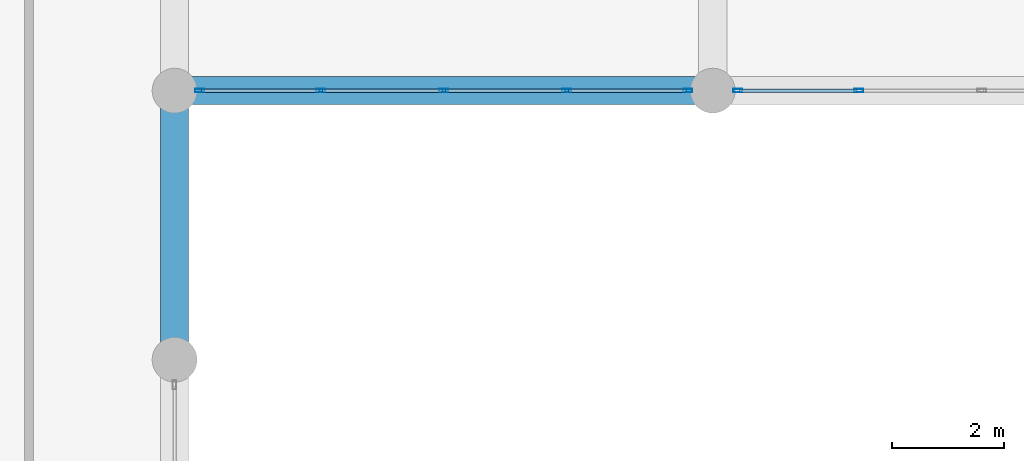
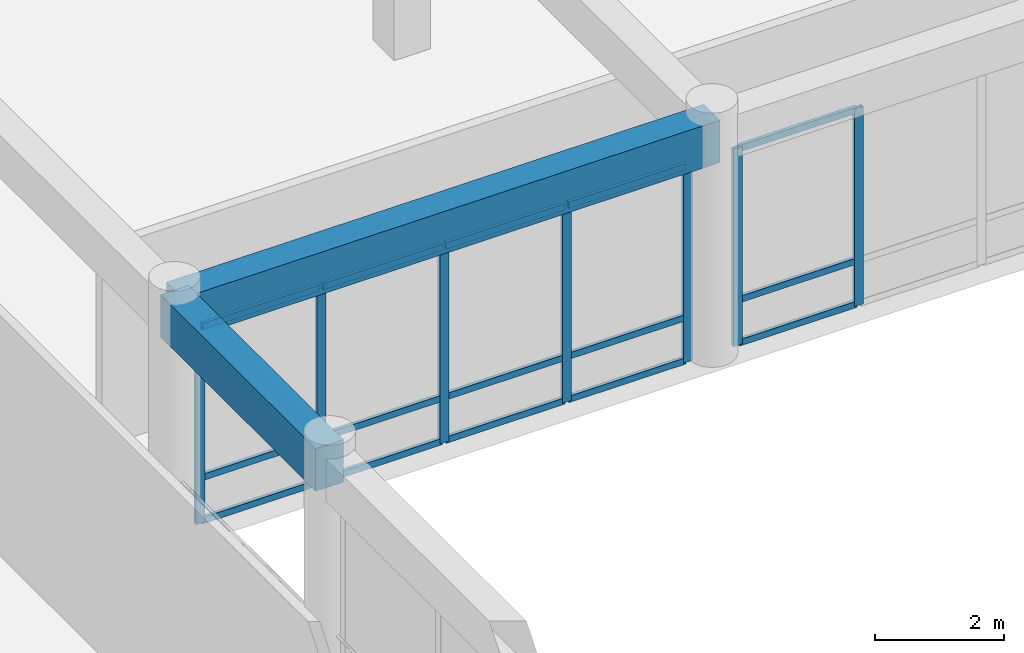
# One storey, part 19 of 101: 22 members, 2 beams, 2 elements without a shape of their own.
"""IFC4 building model written with IfcOpenShell, lengths in metres."""

from ifc_helpers import new_model, si_unit, direction, frame, origin, origin_2d, place, context, subcontext, project, spatial, rectangle, hollow_rectangle, extrude, material, layer, layer_set, material_profile, profile_set, type_object, element, aggregate, save


model = new_model("IFC4")

# Units and contexts
model_context = context("Model", 3, precision=1e-05, world=origin(), true_north=direction((0.0, 1.0)))
body_context = subcontext(model_context, "Body", "Model", "MODEL_VIEW")
ifc_project = project(units=[si_unit("LENGTHUNIT", "METRE"), si_unit("AREAUNIT", "SQUARE_METRE"), si_unit("VOLUMEUNIT", "CUBIC_METRE"), si_unit("PLANEANGLEUNIT", "RADIAN"), si_unit("MASSUNIT", "GRAM", prefix="KILO")], contexts=[model_context])

# Site, building, storey
site_placement = place(None, origin())
site = spatial("IfcSite", under=ifc_project, at=site_placement, CompositionType="ELEMENT")
building_placement = place(site_placement, origin())
building = spatial("IfcBuilding", under=site, at=building_placement, Name="Nakhvara Creek Congress Hotel", CompositionType="ELEMENT")
storey_placement = place(building_placement, frame((0.0, 0.0, 16.199951171875)))
storey = spatial("IfcBuildingStorey", under=building, at=storey_placement, Name="L03", CompositionType="ELEMENT", Elevation=16.199951171875)

# Beams
ifc_material_1 = material(Name="Concrete C40/50", Category="concrete")
ifc_material_profile_1 = material_profile(ifc_material_1, rectangle(XDim=0.5, YDim=0.800048828125, at=origin_2d()), Name="RC-BM 500x800", Category="LoadBearing")
ifc_profile_set_1 = profile_set([ifc_material_profile_1], Name="Concrete C40/50")
beam_type = type_object("IfcBeamType", Name="BM-RC-500X800", PredefinedType="BEAM", material=ifc_profile_set_1)
beam_1_placement = place(storey_placement, frame((76.800048828125, 72.0, 4.14013671875), z_axis=(0.0, 1.0, 0.0), x_axis=(-1.0, 0.0, 0.0)))
element("IfcBeam", 1, at=beam_1_placement, inside=storey, type_object=beam_type, Name="Beam B03-L03-1711", PredefinedType="BEAM", context=body_context, shape_type="SweptSolid", body=[
    extrude(rectangle(XDim=0.5, YDim=0.800048828125, at=origin_2d()), origin(), (0.0, 0.0, 1.0), 4.800048828125),
])
beam_2_placement = place(storey_placement, frame((76.800048828125, 76.800048828125, 4.14013671875), z_axis=(1.0, 0.0, 0.0), x_axis=(0.0, 1.0, 0.0)))
element("IfcBeam", 2, at=beam_2_placement, inside=storey, type_object=beam_type, Name="Beam B03-L03-1713", PredefinedType="BEAM", context=body_context, shape_type="SweptSolid", body=[
    extrude(rectangle(XDim=0.5, YDim=0.800048828125, at=origin_2d()), origin(), (0.0, 0.0, 1.0), 9.599853515625),
])

# Curtain wall, members
ifc_material_2 = material(Name="Bronze-anodised aluminium AW-6063-T6 and double-silver low-E glass", Category="aluminium")
ifc_layer = layer(ifc_material_2, 0.199951171875)
ifc_layer_set = layer_set([ifc_layer], Name="Bronze-anodised aluminium AW-6063-T6 and double-silver low-E glass")
curtain_wall_type = type_object("IfcCurtainWallType", Name="CW-POD-STICK", PredefinedType="NOTDEFINED", material=ifc_layer_set)
curtain_wall_1_placement = place(storey_placement, origin())
curtain_wall_1 = element("IfcCurtainWall", 3, at=curtain_wall_1_placement, inside=storey, type_object=curtain_wall_type, Name="Curtain Wall CW050", PredefinedType="NOTDEFINED")
ifc_material_3 = material(Name="Bronze-anodised aluminium AW-6063-T6", Category="aluminium")
ifc_material_profile_2 = material_profile(ifc_material_3, hollow_rectangle(XDim=0.06494140625, YDim=0.159912109375, WallThickness=0.00390625, at=origin_2d()), Name="ALU-MULL 65x160x4", Category="LoadBearing")
ifc_profile_set_2 = profile_set([ifc_material_profile_2], Name="Bronze-anodised aluminium AW-6063-T6")
member_type_1 = type_object("IfcMemberType", Name="CW-MULL-160", PredefinedType="MULLION", material=ifc_profile_set_2)
member_1_placement = place(storey_placement, frame((85.952392578125, 76.800048828125, 0.0), z_axis=(0.0, 0.0, 1.0), x_axis=(0.0, -1.0, 0.0)))
member_1 = element("IfcMember", 4, at=member_1_placement, type_object=member_type_1, Name="CW050 mullion 1", PredefinedType="MULLION", context=body_context, shape_type="SweptSolid", body=[
    extrude(hollow_rectangle(XDim=0.06494140625, YDim=0.159912109375, WallThickness=0.00390625, at=origin_2d()), origin(), (0.0, 0.0, 1.0), 3.73193359375),
])
member_2_placement = place(storey_placement, frame((83.79248046875, 76.800048828125, 0.0), z_axis=(0.0, 0.0, 1.0), x_axis=(0.0, -1.0, 0.0)))
member_2 = element("IfcMember", 5, at=member_2_placement, type_object=member_type_1, Name="CW050 mullion 2", PredefinedType="MULLION", context=body_context, shape_type="SweptSolid", body=[
    extrude(hollow_rectangle(XDim=0.06494140625, YDim=0.159912109375, WallThickness=0.00390625, at=origin_2d()), origin(), (0.0, 0.0, 1.0), 3.73193359375),
])
member_3_placement = place(storey_placement, frame((81.60009765625, 76.800048828125, 0.0), z_axis=(0.0, 0.0, 1.0), x_axis=(0.0, -1.0, 0.0)))
member_3 = element("IfcMember", 6, at=member_3_placement, type_object=member_type_1, Name="CW050 mullion 3", PredefinedType="MULLION", context=body_context, shape_type="SweptSolid", body=[
    extrude(hollow_rectangle(XDim=0.06494140625, YDim=0.159912109375, WallThickness=0.00390625, at=origin_2d()), origin(), (0.0, 0.0, 1.0), 3.73193359375),
])
member_4_placement = place(storey_placement, frame((79.407470703125, 76.800048828125, 0.0), z_axis=(0.0, 0.0, 1.0), x_axis=(0.0, -1.0, 0.0)))
member_4 = element("IfcMember", 7, at=member_4_placement, type_object=member_type_1, Name="CW050 mullion 4", PredefinedType="MULLION", context=body_context, shape_type="SweptSolid", body=[
    extrude(hollow_rectangle(XDim=0.06494140625, YDim=0.159912109375, WallThickness=0.00390625, at=origin_2d()), origin(), (0.0, 0.0, 1.0), 3.73193359375),
])
member_5_placement = place(storey_placement, frame((77.24755859375, 76.800048828125, 0.0), z_axis=(0.0, 0.0, 1.0), x_axis=(0.0, -1.0, 0.0)))
member_5 = element("IfcMember", 8, at=member_5_placement, type_object=member_type_1, Name="CW050 mullion 5", PredefinedType="MULLION", context=body_context, shape_type="SweptSolid", body=[
    extrude(hollow_rectangle(XDim=0.06494140625, YDim=0.159912109375, WallThickness=0.00390625, at=origin_2d()), origin(), (0.0, 0.0, 1.0), 3.73193359375),
])

curtain_wall_2_placement = place(storey_placement, origin())
curtain_wall_2 = element("IfcCurtainWall", 9, at=curtain_wall_2_placement, inside=storey, type_object=curtain_wall_type, Name="Curtain Wall CW052", PredefinedType="NOTDEFINED")
member_6_placement = place(storey_placement, frame((89.007568359375, 76.800048828125, 0.0), z_axis=(0.0, 0.0, 1.0), x_axis=(0.0, -1.0, 0.0)))
member_6 = element("IfcMember", 10, at=member_6_placement, type_object=member_type_1, Name="CW052 mullion 4", PredefinedType="MULLION", context=body_context, shape_type="SweptSolid", body=[
    extrude(hollow_rectangle(XDim=0.06494140625, YDim=0.159912109375, WallThickness=0.00390625, at=origin_2d()), origin(), (0.0, 0.0, 1.0), 3.73193359375),
])
member_7_placement = place(storey_placement, frame((86.847412109375, 76.800048828125, 0.0), z_axis=(0.0, 0.0, 1.0), x_axis=(0.0, -1.0, 0.0)))
member_7 = element("IfcMember", 11, at=member_7_placement, type_object=member_type_1, Name="CW052 mullion 5", PredefinedType="MULLION", context=body_context, shape_type="SweptSolid", body=[
    extrude(hollow_rectangle(XDim=0.06494140625, YDim=0.159912109375, WallThickness=0.00390625, at=origin_2d()), origin(), (0.0, 0.0, 1.0), 3.73193359375),
])

# Member
ifc_material_profile_3 = material_profile(ifc_material_3, hollow_rectangle(XDim=0.06494140625, YDim=0.1201171875, WallThickness=0.00390625, at=origin_2d()), Name="ALU-TRAN 65x120x4", Category="LoadBearing")
ifc_profile_set_3 = profile_set([ifc_material_profile_3], Name="Bronze-anodised aluminium AW-6063-T6")
member_type_2 = type_object("IfcMemberType", Name="CW-TRAN-120", PredefinedType="USERDEFINED", material=ifc_profile_set_3)
member_8_placement = place(storey_placement, frame((85.919921875, 76.800048828125, 0.032470703125), z_axis=(-1.0, 0.0, 0.0), x_axis=(0.0, -1.0, 0.0)))
member_8 = element("IfcMember", 12, at=member_8_placement, type_object=member_type_2, Name="CW050 transom 1.1", ObjectType="TRANSOM", PredefinedType="USERDEFINED", context=body_context, shape_type="SweptSolid", body=[
    extrude(hollow_rectangle(XDim=0.06494140625, YDim=0.1201171875, WallThickness=0.00390625, at=origin_2d()), origin(), (0.0, 0.0, 1.0), 2.094970703125),
])

member_9_placement = place(storey_placement, frame((85.919921875, 76.800048828125, 0.85009765625), z_axis=(-1.0, 0.0, 0.0), x_axis=(0.0, -1.0, 0.0)))
member_9 = element("IfcMember", 13, at=member_9_placement, type_object=member_type_2, Name="CW050 transom 1.2", ObjectType="TRANSOM", PredefinedType="USERDEFINED", context=body_context, shape_type="SweptSolid", body=[
    extrude(hollow_rectangle(XDim=0.06494140625, YDim=0.1201171875, WallThickness=0.00390625, at=origin_2d()), origin(), (0.0, 0.0, 1.0), 2.094970703125),
])

member_10_placement = place(storey_placement, frame((85.919921875, 76.800048828125, 3.699462890625), z_axis=(-1.0, 0.0, 0.0), x_axis=(0.0, -1.0, 0.0)))
member_10 = element("IfcMember", 14, at=member_10_placement, type_object=member_type_2, Name="CW050 transom 1.3", ObjectType="TRANSOM", PredefinedType="USERDEFINED", context=body_context, shape_type="SweptSolid", body=[
    extrude(hollow_rectangle(XDim=0.06494140625, YDim=0.1201171875, WallThickness=0.00390625, at=origin_2d()), origin(), (0.0, 0.0, 1.0), 2.094970703125),
])

member_11_placement = place(storey_placement, frame((83.760009765625, 76.800048828125, 0.032470703125), z_axis=(-1.0, 0.0, 0.0), x_axis=(0.0, -1.0, 0.0)))
member_11 = element("IfcMember", 15, at=member_11_placement, type_object=member_type_2, Name="CW050 transom 2.1", ObjectType="TRANSOM", PredefinedType="USERDEFINED", context=body_context, shape_type="SweptSolid", body=[
    extrude(hollow_rectangle(XDim=0.06494140625, YDim=0.1201171875, WallThickness=0.00390625, at=origin_2d()), origin(), (0.0, 0.0, 1.0), 2.12744140625),
])

member_12_placement = place(storey_placement, frame((83.760009765625, 76.800048828125, 0.85009765625), z_axis=(-1.0, 0.0, 0.0), x_axis=(0.0, -1.0, 0.0)))
member_12 = element("IfcMember", 16, at=member_12_placement, type_object=member_type_2, Name="CW050 transom 2.2", ObjectType="TRANSOM", PredefinedType="USERDEFINED", context=body_context, shape_type="SweptSolid", body=[
    extrude(hollow_rectangle(XDim=0.06494140625, YDim=0.1201171875, WallThickness=0.00390625, at=origin_2d()), origin(), (0.0, 0.0, 1.0), 2.12744140625),
])

member_13_placement = place(storey_placement, frame((83.760009765625, 76.800048828125, 3.699462890625), z_axis=(-1.0, 0.0, 0.0), x_axis=(0.0, -1.0, 0.0)))
member_13 = element("IfcMember", 17, at=member_13_placement, type_object=member_type_2, Name="CW050 transom 2.3", ObjectType="TRANSOM", PredefinedType="USERDEFINED", context=body_context, shape_type="SweptSolid", body=[
    extrude(hollow_rectangle(XDim=0.06494140625, YDim=0.1201171875, WallThickness=0.00390625, at=origin_2d()), origin(), (0.0, 0.0, 1.0), 2.12744140625),
])

member_14_placement = place(storey_placement, frame((81.5673828125, 76.800048828125, 0.032470703125), z_axis=(-1.0, 0.0, 0.0), x_axis=(0.0, -1.0, 0.0)))
member_14 = element("IfcMember", 18, at=member_14_placement, type_object=member_type_2, Name="CW050 transom 3.1", ObjectType="TRANSOM", PredefinedType="USERDEFINED", context=body_context, shape_type="SweptSolid", body=[
    extrude(hollow_rectangle(XDim=0.06494140625, YDim=0.1201171875, WallThickness=0.00390625, at=origin_2d()), origin(), (0.0, 0.0, 1.0), 2.12744140625),
])

member_15_placement = place(storey_placement, frame((81.5673828125, 76.800048828125, 0.85009765625), z_axis=(-1.0, 0.0, 0.0), x_axis=(0.0, -1.0, 0.0)))
member_15 = element("IfcMember", 19, at=member_15_placement, type_object=member_type_2, Name="CW050 transom 3.2", ObjectType="TRANSOM", PredefinedType="USERDEFINED", context=body_context, shape_type="SweptSolid", body=[
    extrude(hollow_rectangle(XDim=0.06494140625, YDim=0.1201171875, WallThickness=0.00390625, at=origin_2d()), origin(), (0.0, 0.0, 1.0), 2.12744140625),
])

member_16_placement = place(storey_placement, frame((81.5673828125, 76.800048828125, 3.699462890625), z_axis=(-1.0, 0.0, 0.0), x_axis=(0.0, -1.0, 0.0)))
member_16 = element("IfcMember", 20, at=member_16_placement, type_object=member_type_2, Name="CW050 transom 3.3", ObjectType="TRANSOM", PredefinedType="USERDEFINED", context=body_context, shape_type="SweptSolid", body=[
    extrude(hollow_rectangle(XDim=0.06494140625, YDim=0.1201171875, WallThickness=0.00390625, at=origin_2d()), origin(), (0.0, 0.0, 1.0), 2.12744140625),
])

member_17_placement = place(storey_placement, frame((79.375, 76.800048828125, 0.032470703125), z_axis=(-1.0, 0.0, 0.0), x_axis=(0.0, -1.0, 0.0)))
member_17 = element("IfcMember", 21, at=member_17_placement, type_object=member_type_2, Name="CW050 transom 4.1", ObjectType="TRANSOM", PredefinedType="USERDEFINED", context=body_context, shape_type="SweptSolid", body=[
    extrude(hollow_rectangle(XDim=0.06494140625, YDim=0.1201171875, WallThickness=0.00390625, at=origin_2d()), origin(), (0.0, 0.0, 1.0), 2.094970703125),
])

member_18_placement = place(storey_placement, frame((79.375, 76.800048828125, 0.85009765625), z_axis=(-1.0, 0.0, 0.0), x_axis=(0.0, -1.0, 0.0)))
member_18 = element("IfcMember", 22, at=member_18_placement, type_object=member_type_2, Name="CW050 transom 4.2", ObjectType="TRANSOM", PredefinedType="USERDEFINED", context=body_context, shape_type="SweptSolid", body=[
    extrude(hollow_rectangle(XDim=0.06494140625, YDim=0.1201171875, WallThickness=0.00390625, at=origin_2d()), origin(), (0.0, 0.0, 1.0), 2.094970703125),
])

member_19_placement = place(storey_placement, frame((79.375, 76.800048828125, 3.699462890625), z_axis=(-1.0, 0.0, 0.0), x_axis=(0.0, -1.0, 0.0)))
member_19 = element("IfcMember", 23, at=member_19_placement, type_object=member_type_2, Name="CW050 transom 4.3", ObjectType="TRANSOM", PredefinedType="USERDEFINED", context=body_context, shape_type="SweptSolid", body=[
    extrude(hollow_rectangle(XDim=0.06494140625, YDim=0.1201171875, WallThickness=0.00390625, at=origin_2d()), origin(), (0.0, 0.0, 1.0), 2.094970703125),
])

aggregate(curtain_wall_1, [member_1, member_2, member_3, member_4, member_5, member_8, member_9, member_10, member_11, member_12, member_13, member_14, member_15, member_16, member_17, member_18, member_19])

member_20_placement = place(storey_placement, frame((88.97509765625, 76.800048828125, 0.032470703125), z_axis=(-1.0, 0.0, 0.0), x_axis=(0.0, -1.0, 0.0)))
member_20 = element("IfcMember", 24, at=member_20_placement, type_object=member_type_2, Name="CW052 transom 4.1", ObjectType="TRANSOM", PredefinedType="USERDEFINED", context=body_context, shape_type="SweptSolid", body=[
    extrude(hollow_rectangle(XDim=0.06494140625, YDim=0.1201171875, WallThickness=0.00390625, at=origin_2d()), origin(), (0.0, 0.0, 1.0), 2.09521484375),
])

member_21_placement = place(storey_placement, frame((88.97509765625, 76.800048828125, 0.85009765625), z_axis=(-1.0, 0.0, 0.0), x_axis=(0.0, -1.0, 0.0)))
member_21 = element("IfcMember", 25, at=member_21_placement, type_object=member_type_2, Name="CW052 transom 4.2", ObjectType="TRANSOM", PredefinedType="USERDEFINED", context=body_context, shape_type="SweptSolid", body=[
    extrude(hollow_rectangle(XDim=0.06494140625, YDim=0.1201171875, WallThickness=0.00390625, at=origin_2d()), origin(), (0.0, 0.0, 1.0), 2.09521484375),
])

member_22_placement = place(storey_placement, frame((88.97509765625, 76.800048828125, 3.699462890625), z_axis=(-1.0, 0.0, 0.0), x_axis=(0.0, -1.0, 0.0)))
member_22 = element("IfcMember", 26, at=member_22_placement, type_object=member_type_2, Name="CW052 transom 4.3", ObjectType="TRANSOM", PredefinedType="USERDEFINED", context=body_context, shape_type="SweptSolid", body=[
    extrude(hollow_rectangle(XDim=0.06494140625, YDim=0.1201171875, WallThickness=0.00390625, at=origin_2d()), origin(), (0.0, 0.0, 1.0), 2.09521484375),
])

aggregate(curtain_wall_2, [member_6, member_7, member_20, member_21, member_22])

save(model, "model.ifc")
